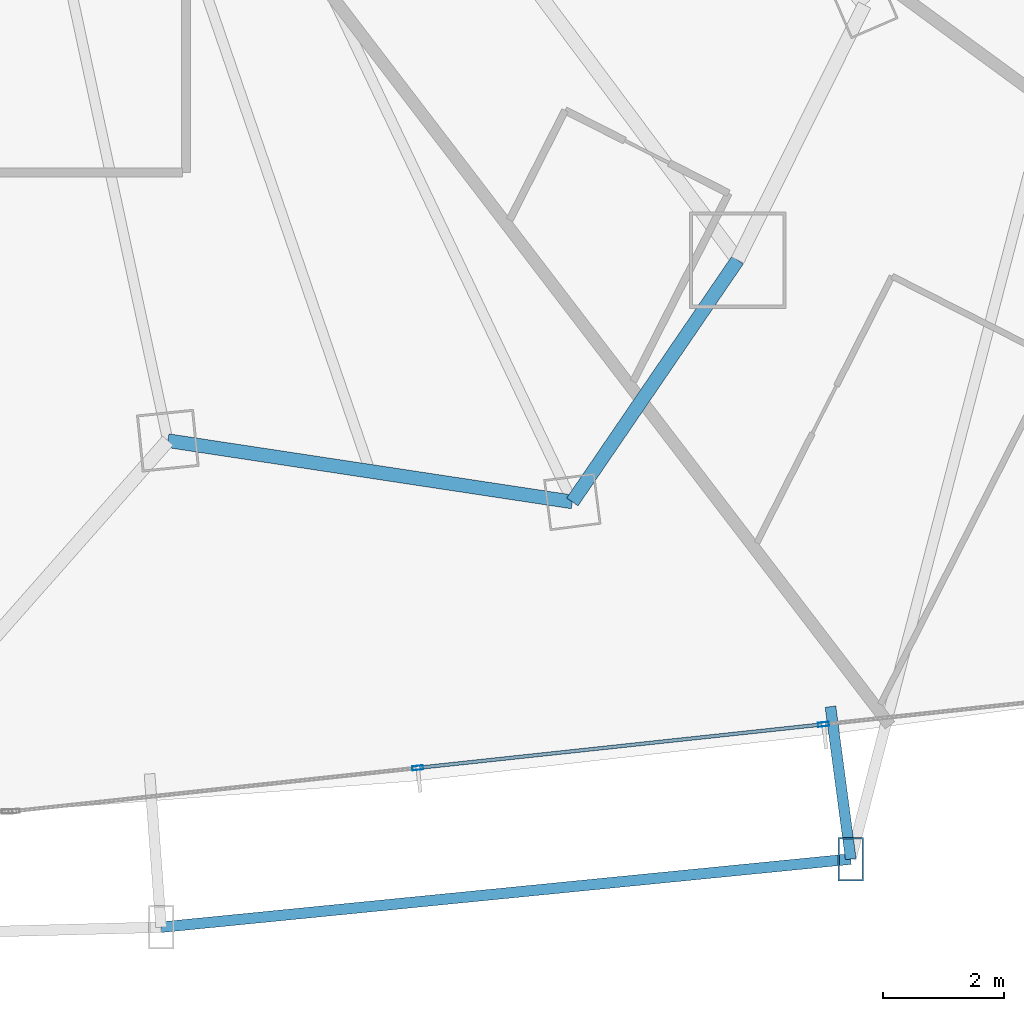
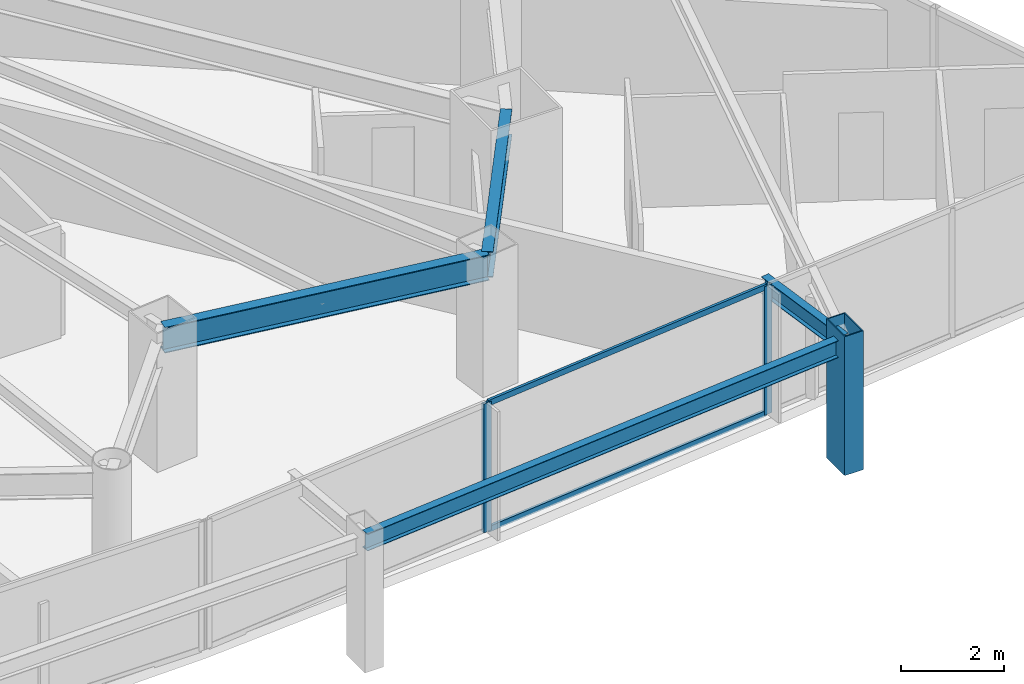
# One storey, part 14 of 35: 5 members, 4 beams, 1 element without a shape of its own.
"""IFC4 building model written with IfcOpenShell, lengths in metres."""

import ifcopenshell
import ifcopenshell.guid

model = None  # the IFC model being written
_history = None  # IfcOwnerHistory: only IFC2X3 demands one
_inside = {}  # id of a spatial element -> (the spatial element, [elements in it])
_under = {}  # id of a project, library or spatial element -> (it, [spatial elements below it])
_declared = {}  # id of a project -> (the project, [libraries it declares])
_typed = {}  # id of a type object -> (the type object, [elements of that type])
_made_of = {}  # id of a material, layer set ... -> (it, [elements and type objects made of it])


def new_model(schema):
    """Start an empty IFC model of exactly this schema.

    Asked for "IFC4X3", IfcOpenShell would pick the latest addendum, in which some entities
    have other attributes; the version numbers below select the first issue.
    IFC2X3 requires an IfcOwnerHistory on every rooted entity: one is made here for all.
    """
    global model, _history
    if schema == "IFC4X3":
        model = ifcopenshell.file(schema_version=(4, 3, 0, 0))
    else:
        model = ifcopenshell.file(schema=schema)
    _inside.clear()
    _under.clear()
    _declared.clear()
    _typed.clear()
    _made_of.clear()
    _history = None
    if model.schema == "IFC2X3":
        org = make("IfcOrganization", Name="unknown")
        user = make(
            "IfcPersonAndOrganization",
            ThePerson=make("IfcPerson", FamilyName="unknown"),
            TheOrganization=org,
        )
        app = make(
            "IfcApplication",
            ApplicationDeveloper=org,
            Version="unknown",
            ApplicationFullName="unknown",
            ApplicationIdentifier="unknown",
        )
        _history = make(
            "IfcOwnerHistory",
            OwningUser=user,
            OwningApplication=app,
            ChangeAction="ADDED",
            CreationDate=0,
        )
    return model


def make(cls, **values):
    """One entity of the class cls with the attributes given. An attribute that is None is left unset."""
    return model.create_entity(
        cls, **{name: value for name, value in values.items() if value is not None}
    )


def rooted(cls, **values):
    """An entity with a GlobalId (a new one), such as an element, a storey or a relation."""
    return make(cls, GlobalId=ifcopenshell.guid.new(), OwnerHistory=_history, **values)


def si_unit(unit_type, name, prefix=None):
    """IfcSIUnit, for example si_unit("LENGTHUNIT", "METRE", prefix="MILLI")."""
    return make("IfcSIUnit", UnitType=unit_type, Prefix=prefix, Name=name)


def assignment(units):
    """IfcUnitAssignment: the units of a project."""
    return None if units is None else make("IfcUnitAssignment", Units=units)


def point(xyz):
    """IfcCartesianPoint."""
    return None if xyz is None else make("IfcCartesianPoint", Coordinates=xyz)


def direction(xyz):
    """IfcDirection."""
    return None if xyz is None else make("IfcDirection", DirectionRatios=xyz)


def frame(location, z_axis=None, x_axis=None):
    """IfcAxis2Placement3D, a coordinate frame: its origin and axes. An axis left out is left unset."""
    return make(
        "IfcAxis2Placement3D",
        Location=point(location),
        Axis=direction(z_axis),
        RefDirection=direction(x_axis),
    )


def frame_2d(location, x_axis=None):
    """IfcAxis2Placement2D, a coordinate frame in the plane: its origin and x axis."""
    return make(
        "IfcAxis2Placement2D", Location=point(location), RefDirection=direction(x_axis)
    )


def origin():
    """The frame at (0, 0, 0) with its axes left unset."""
    return frame((0.0, 0.0, 0.0))


def origin_2d():
    """The frame at (0, 0) in the plane with its x axis left unset."""
    return frame_2d((0.0, 0.0))


def place(relative_to, where):
    """IfcLocalPlacement: puts the frame where relative to a parent placement (None: the world)."""
    return make(
        "IfcLocalPlacement", PlacementRelTo=relative_to, RelativePlacement=where
    )


def context(
    kind, dimensions, precision=None, world=None, true_north=None, identifier=None
):
    """IfcGeometricRepresentationContext, for example the 3D "Model" context."""
    return make(
        "IfcGeometricRepresentationContext",
        ContextIdentifier=identifier,
        ContextType=kind,
        CoordinateSpaceDimension=dimensions,
        Precision=precision,
        WorldCoordinateSystem=world,
        TrueNorth=true_north,
    )


def subcontext(parent, identifier, kind, view, scale=None):
    """IfcGeometricRepresentationSubContext, for example "Body" below "Model"."""
    return make(
        "IfcGeometricRepresentationSubContext",
        ContextIdentifier=identifier,
        ContextType=kind,
        ParentContext=parent,
        TargetScale=scale,
        TargetView=view,
    )


def project(units=None, contexts=None):
    """IfcProject with its units and contexts."""
    return rooted(
        "IfcProject",
        Name="project",
        RepresentationContexts=contexts,
        UnitsInContext=assignment(units),
    )


def spatial(cls, under=None, at=None, **own):
    """A site, building, storey or space (cls), placed at a placement, below another one or the project."""
    s = rooted(cls, ObjectPlacement=at, **own)
    if under is not None:
        _under.setdefault(under.id(), (under, []))[1].append(s)
    return s


def profile(cls, at=None, kind="AREA", **sizes):
    """A parametric profile (cls). Its sizes go by their IFC names, for example OverallWidth=200.0."""
    return make(cls, ProfileType=kind, Position=at, **sizes)


def hollow_rectangle(**sizes):
    """IfcRectangleHollowProfileDef."""
    return profile("IfcRectangleHollowProfileDef", **sizes)


def i_section(**sizes):
    """IfcIShapeProfileDef."""
    return profile("IfcIShapeProfileDef", **sizes)


def extrude(swept, where, along, depth):
    """IfcExtrudedAreaSolid: the profile swept, set in the frame where, extruded along a direction by depth."""
    return make(
        "IfcExtrudedAreaSolid",
        SweptArea=swept,
        Position=where,
        ExtrudedDirection=direction(along),
        Depth=depth,
    )


def shape(context_of_items, identifier, shape_type, items):
    """IfcShapeRepresentation: the items that make up one representation, for example the "Body"."""
    return make(
        "IfcShapeRepresentation",
        ContextOfItems=context_of_items,
        RepresentationIdentifier=identifier,
        RepresentationType=shape_type,
        Items=items,
    )


def material(Name=None, Category=None):
    """IfcMaterial."""
    return make("IfcMaterial", Name=Name, Category=Category)


def layer(
    of_material, thickness, ventilated=None, Name=None, Category=None, Priority=None
):
    """IfcMaterialLayer: one layer of a wall or slab, of a material (None: an air gap)."""
    return make(
        "IfcMaterialLayer",
        Material=of_material,
        LayerThickness=thickness,
        IsVentilated=ventilated,
        Name=Name,
        Category=Category,
        Priority=Priority,
    )


def layer_set(layers, Name=None):
    """IfcMaterialLayerSet."""
    return make("IfcMaterialLayerSet", MaterialLayers=layers, LayerSetName=Name)


def material_profile(
    of_material, cross_section, Name=None, Category=None, Priority=None
):
    """IfcMaterialProfile: a cross section and its material."""
    return make(
        "IfcMaterialProfile",
        Name=Name,
        Material=of_material,
        Profile=cross_section,
        Priority=Priority,
        Category=Category,
    )


def profile_set(profiles, Name=None, composite=None):
    """IfcMaterialProfileSet."""
    return make(
        "IfcMaterialProfileSet",
        Name=Name,
        MaterialProfiles=profiles,
        CompositeProfile=composite,
    )


def made_of(thing, what):
    """Note that an element or type object is made of a material, layer set ...; save() writes the relation."""
    if what is not None:
        _made_of.setdefault(what.id(), (what, []))[1].append(thing)
    return thing


def type_object(cls, material=None, **own):
    """A type object (cls), such as IfcWallType, which elements share."""
    return made_of(rooted(cls, **own), material)


def element(
    cls,
    number,
    at=None,
    inside=None,
    cuts=None,
    type_object=None,
    material=None,
    context=None,
    identifier="Body",
    shape_type=None,
    held_by="IfcProductDefinitionShape",
    body=None,
    shapes=None,
    **own,
):
    """One element of the class cls, such as IfcWall. Its Tag is "e" and its number.

    at: its placement. inside: the storey or other place that contains it. cuts: it is an
    opening in that element (IfcRelVoidsElement). A single representation is given by context,
    identifier, shape_type and body (its items); several are given by shapes. held_by: the class
    of the entity that holds the representations. save() writes the other relations.
    """
    e = rooted(cls, Tag="e%d" % number, ObjectPlacement=at, **own)
    if body is not None:
        shapes = [shape(context, identifier, shape_type, body)]
    if shapes is not None:
        e.Representation = make(held_by, Representations=shapes)
    if inside is not None:
        _inside.setdefault(inside.id(), (inside, []))[1].append(e)
    if cuts is not None:
        rooted(
            "IfcRelVoidsElement", RelatingBuildingElement=cuts, RelatedOpeningElement=e
        )
    if type_object is not None:
        _typed.setdefault(type_object.id(), (type_object, []))[1].append(e)
    return made_of(e, material)


def aggregate(whole, parts):
    """IfcRelAggregates: a whole, such as a stair, and the parts it consists of."""
    return rooted("IfcRelAggregates", RelatingObject=whole, RelatedObjects=parts)


def save(model, path):
    """Write the relations noted so far, then the file.

    IfcRelAggregates (storeys below a building ...), IfcRelContainedInSpatialStructure (elements
    in a storey), IfcRelDefinesByType, IfcRelAssociatesMaterial and IfcRelDeclares: one each for
    every whole, place, type object, material and project.
    """
    for whole, parts in _under.values():
        aggregate(whole, parts)
    for where, things in _inside.values():
        rooted(
            "IfcRelContainedInSpatialStructure",
            RelatedElements=things,
            RelatingStructure=where,
        )
    for kind, things in _typed.values():
        rooted("IfcRelDefinesByType", RelatedObjects=things, RelatingType=kind)
    for what, things in _made_of.values():
        rooted("IfcRelAssociatesMaterial", RelatedObjects=things, RelatingMaterial=what)
    for by, libraries in _declared.values():
        rooted("IfcRelDeclares", RelatingContext=by, RelatedDefinitions=libraries)
    model.write(path)


model = new_model("IFC4")

# Units and contexts
model_context = context("Model", 3, precision=1e-05, world=origin(), true_north=direction((0.0, 1.0)))
body_context = subcontext(model_context, "Body", "Model", "MODEL_VIEW")
ifc_project = project(units=[si_unit("LENGTHUNIT", "METRE"), si_unit("AREAUNIT", "SQUARE_METRE"), si_unit("VOLUMEUNIT", "CUBIC_METRE"), si_unit("PLANEANGLEUNIT", "RADIAN"), si_unit("MASSUNIT", "GRAM", prefix="KILO")], contexts=[model_context])

# Site, building, storey
site_placement = place(None, origin())
site = spatial("IfcSite", under=ifc_project, at=site_placement, CompositionType="ELEMENT")
building_placement = place(site_placement, origin())
building = spatial("IfcBuilding", under=site, at=building_placement, Name="Orvanel Arch Residences", CompositionType="ELEMENT")
storey_placement = place(building_placement, frame((0.0, 0.0, 26.89990234375)))
storey = spatial("IfcBuildingStorey", under=building, at=storey_placement, Name="L06", CompositionType="ELEMENT", Elevation=26.89990234375)

# Member
ifc_material_1 = material(Name="Structural steel AS/NZS 3678 Grade 350", Category="steel")
ifc_material_profile_1 = material_profile(ifc_material_1, hollow_rectangle(XDim=0.419921875, YDim=0.719970703125, WallThickness=0.02490234375, at=origin_2d()), Name="RHS720x420x25")
ifc_profile_set_1 = profile_set([ifc_material_profile_1], Name="Structural steel AS/NZS 3678 Grade 350")
member_type_1 = type_object("IfcMemberType", Name="CH-720RHS-EXT", PredefinedType="CHORD", material=ifc_profile_set_1)
member_1_placement = place(storey_placement, frame((53.677001953125, 0.416015625, 0.0), z_axis=(0.0, 0.0, 1.0), x_axis=(1.0, 0.0, 0.0)))
element("IfcMember", 1, at=member_1_placement, inside=storey, type_object=member_type_1, Name="L06 Outer Perimeter Frame Post 08", PredefinedType="CHORD", context=body_context, shape_type="SweptSolid", body=[
    extrude(hollow_rectangle(XDim=0.419921875, YDim=0.719970703125, WallThickness=0.02490234375, at=origin_2d()), origin(), (0.0, 0.0, 1.0), 3.300048828125),
])

# Curtain wall, members
ifc_material_2 = material(Name="Bronze-anodised aluminium AA6063-T6", Category="aluminium")
ifc_layer = layer(ifc_material_2, 0.179931640625)
ifc_layer_set = layer_set([ifc_layer], Name="Bronze-anodised aluminium AA6063-T6")
curtain_wall_type = type_object("IfcCurtainWallType", Name="CW2-LOW-SYS", PredefinedType="NOTDEFINED", material=ifc_layer_set)
curtain_wall_placement = place(storey_placement, origin())
curtain_wall = element("IfcCurtainWall", 2, at=curtain_wall_placement, inside=storey, type_object=curtain_wall_type, Name="L06 CW2-LOW-SYS Unitised Curtain Wall", PredefinedType="NOTDEFINED")
ifc_material_profile_2 = material_profile(ifc_material_2, hollow_rectangle(XDim=0.070068359375, YDim=0.179931640625, WallThickness=0.00439453125, at=origin_2d()), Name="ALU180x70x4.5")
ifc_profile_set_2 = profile_set([ifc_material_profile_2], Name="Bronze-anodised aluminium AA6063-T6")
member_type_2 = type_object("IfcMemberType", Name="MUL-180x70", PredefinedType="MULLION", material=ifc_profile_set_2)
member_2_placement = place(storey_placement, frame((46.4951171875, 1.92822265625, 0.0), z_axis=(0.0, 0.0, 1.0), x_axis=(-0.106701765481, 0.994291070685, 0.0)))
member_2 = element("IfcMember", 3, at=member_2_placement, type_object=member_type_2, Name="CW-S2 mullion 2", PredefinedType="MULLION", context=body_context, shape_type="SweptSolid", body=[
    extrude(hollow_rectangle(XDim=0.070068359375, YDim=0.179931640625, WallThickness=0.00439453125, at=origin_2d()), origin(), (0.0, 0.0, 1.0), 3.06005859375),
])
member_3_placement = place(storey_placement, frame((53.22607421875, 2.650634765625, 0.0), z_axis=(0.0, 0.0, 1.0), x_axis=(-0.106701765481, 0.994291070685, 0.0)))
member_3 = element("IfcMember", 4, at=member_3_placement, type_object=member_type_2, Name="CW-S2 mullion 3", PredefinedType="MULLION", context=body_context, shape_type="SweptSolid", body=[
    extrude(hollow_rectangle(XDim=0.070068359375, YDim=0.179931640625, WallThickness=0.00439453125, at=origin_2d()), origin(), (0.0, 0.0, 1.0), 3.06005859375),
])

# Beams
ifc_material_3 = material(Name="Structural steel AS/NZS 3679.1 Grade 300 (300 MPa)", Category="steel")
ifc_material_profile_3 = material_profile(ifc_material_3, i_section(OverallWidth=0.177978515625, OverallDepth=0.406005859375, WebThickness=0.0078125, FlangeThickness=0.0126953125, at=origin_2d()), Name="410UB59.7")
ifc_profile_set_3 = profile_set([ifc_material_profile_3], Name="Structural steel AS/NZS 3679.1 Grade 300 (300 MPa)")
beam_type_1 = type_object("IfcBeamType", Name="OB-410UB-EXT", PredefinedType="SPANDREL", material=ifc_profile_set_3)
beam_1_placement = place(storey_placement, frame((42.239013671875, -0.714111328125, 2.857177734375), z_axis=(0.99515426669, 0.098325914632, 0.0), x_axis=(-0.098325914632, 0.99515426669, 0.0)))
element("IfcBeam", 5, at=beam_1_placement, inside=storey, type_object=beam_type_1, Name="L06 Outer Perimeter Floor Ring Beam 07", PredefinedType="SPANDREL", context=body_context, shape_type="SweptSolid", body=[
    extrude(i_section(OverallWidth=0.177978515625, OverallDepth=0.406005859375, WebThickness=0.0078125, FlangeThickness=0.0126953125, at=origin_2d()), origin(), (0.0, 0.0, 1.0), 11.49365234375),
])
beam_2_placement = place(storey_placement, frame((53.340087890625, 2.944091796875, 2.857177734375), z_axis=(0.132101017616, -0.991236258994, 0.0), x_axis=(0.991236258994, 0.132101017616, 0.0)))
element("IfcBeam", 6, at=beam_2_placement, inside=storey, type_object=beam_type_1, Name="L06 Outer Frame Radial Tie Beam 08", PredefinedType="SPANDREL", context=body_context, shape_type="SweptSolid", body=[
    extrude(i_section(OverallWidth=0.177978515625, OverallDepth=0.406005859375, WebThickness=0.0078125, FlangeThickness=0.0126953125, at=origin_2d()), origin(), (0.0, 0.0, 1.0), 2.550537109375),
])
ifc_material_profile_4 = material_profile(ifc_material_3, i_section(OverallWidth=0.22900390625, OverallDepth=0.612060546875, WebThickness=0.011962890625, FlangeThickness=0.01953125, at=origin_2d()), Name="610UB125")
ifc_profile_set_4 = profile_set([ifc_material_profile_4], Name="Structural steel AS/NZS 3679.1 Grade 300 (300 MPa)")
beam_type_2 = type_object("IfcBeamType", Name="SP-610UB", PredefinedType="SPANDREL", material=ifc_profile_set_4)
beam_3_placement = place(storey_placement, frame((42.35107421875, 7.35498046875, 2.754150390625), z_axis=(0.988726323014, -0.149733958002, 0.0), x_axis=(0.149733958002, 0.988726323014, 0.0)))
element("IfcBeam", 7, at=beam_3_placement, inside=storey, type_object=beam_type_2, Name="L06 Perimeter Spandrel Beam 09", PredefinedType="SPANDREL", context=body_context, shape_type="SweptSolid", body=[
    extrude(i_section(OverallWidth=0.22900390625, OverallDepth=0.612060546875, WebThickness=0.011962890625, FlangeThickness=0.01953125, at=origin_2d()), origin(), (0.0, 0.0, 1.0), 6.784423828125),
])
beam_4_placement = place(storey_placement, frame((49.05908203125, 6.339111328125, 2.754150390625), z_axis=(0.564251579852, 0.825602903722, 0.0), x_axis=(-0.825602903722, 0.564251579852, 0.0)))
element("IfcBeam", 8, at=beam_4_placement, inside=storey, type_object=beam_type_2, Name="L06 Perimeter Spandrel Beam 10", PredefinedType="SPANDREL", context=body_context, shape_type="SweptSolid", body=[
    extrude(i_section(OverallWidth=0.22900390625, OverallDepth=0.612060546875, WebThickness=0.011962890625, FlangeThickness=0.01953125, at=origin_2d()), origin(), (0.0, 0.0, 1.0), 4.859375),
])

# Member
ifc_material_profile_5 = material_profile(ifc_material_2, hollow_rectangle(XDim=0.06005859375, YDim=0.135009765625, WallThickness=0.00390625, at=origin_2d()), Name="ALU135x60x4")
ifc_profile_set_5 = profile_set([ifc_material_profile_5], Name="Bronze-anodised aluminium AA6063-T6")
member_type_3 = type_object("IfcMemberType", Name="TRN-135x60", PredefinedType="USERDEFINED", material=ifc_profile_set_5)
member_4_placement = place(storey_placement, frame((46.52978515625, 1.93212890625, 0.030029296875), z_axis=(0.994291356146, 0.106699105398, 0.0), x_axis=(-0.106699105398, 0.994291356146, 0.0)))
member_4 = element("IfcMember", 9, at=member_4_placement, type_object=member_type_3, Name="CW-S2 transom 2.1", ObjectType="TRANSOM", PredefinedType="USERDEFINED", context=body_context, shape_type="SweptSolid", body=[
    extrude(hollow_rectangle(XDim=0.06005859375, YDim=0.135009765625, WallThickness=0.00390625, at=origin_2d()), origin(), (0.0, 0.0, 1.0), 6.69970703125),
])

member_5_placement = place(storey_placement, frame((46.52978515625, 1.93212890625, 3.030029296875), z_axis=(0.994291356146, 0.106699105398, 0.0), x_axis=(-0.106699105398, 0.994291356146, 0.0)))
member_5 = element("IfcMember", 10, at=member_5_placement, type_object=member_type_3, Name="CW-S2 transom 2.2", ObjectType="TRANSOM", PredefinedType="USERDEFINED", context=body_context, shape_type="SweptSolid", body=[
    extrude(hollow_rectangle(XDim=0.06005859375, YDim=0.135009765625, WallThickness=0.00390625, at=origin_2d()), origin(), (0.0, 0.0, 1.0), 6.69970703125),
])

aggregate(curtain_wall, [member_2, member_3, member_4, member_5])

save(model, "model.ifc")
